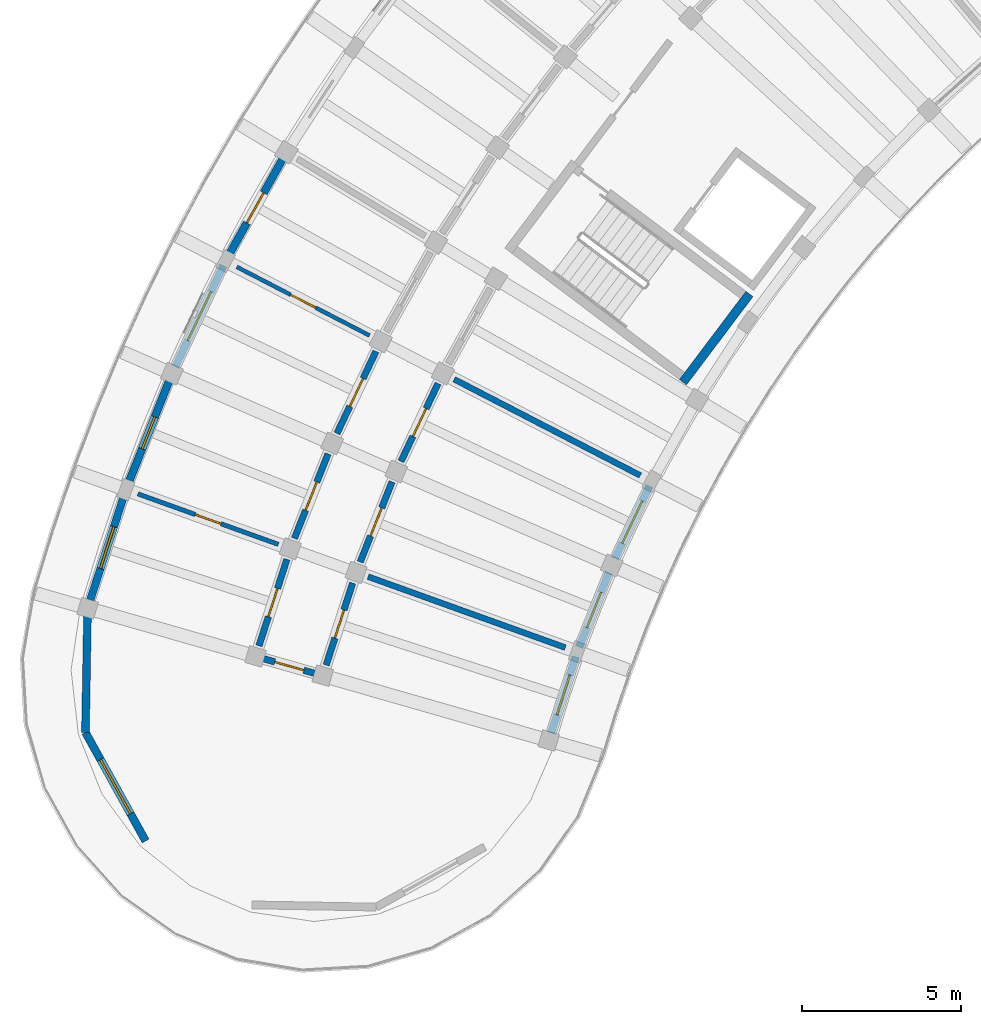
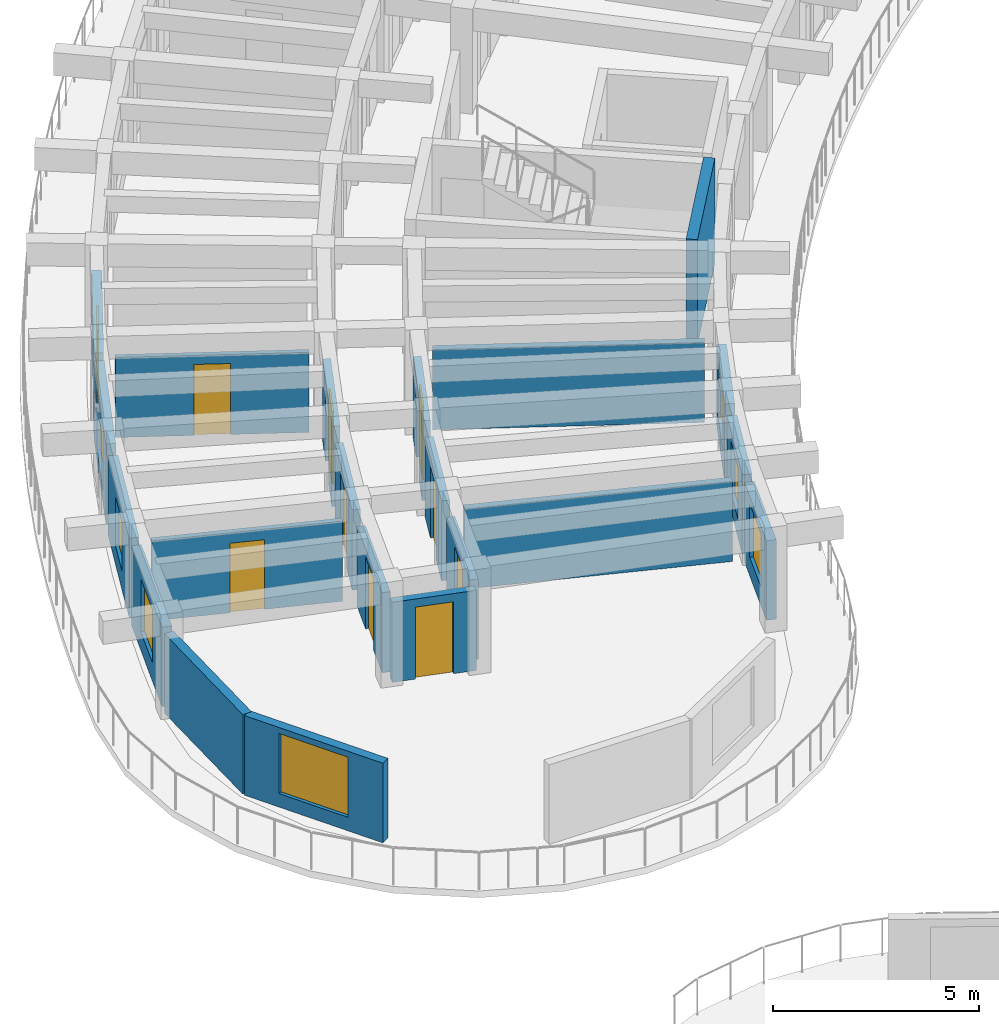
# One storey, part 46 of 81: 21 walls, 10 doors, 7 windows, 17 openings.
"""IFC4 building model written with IfcOpenShell, lengths in metres."""

from ifc_helpers import new_model, si_unit, direction, frame, frame_2d, origin, place, context, subcontext, project, spatial, rectangle, extrude, material, layer, layer_set, type_object, element, fill, save


model = new_model("IFC4")

# Units and contexts
model_context = context("Model", 3, precision=1e-05, world=origin(), true_north=direction((0.0, 1.0)))
body_context = subcontext(model_context, "Body", "Model", "MODEL_VIEW")
ifc_project = project(units=[si_unit("LENGTHUNIT", "METRE"), si_unit("AREAUNIT", "SQUARE_METRE"), si_unit("VOLUMEUNIT", "CUBIC_METRE"), si_unit("PLANEANGLEUNIT", "RADIAN"), si_unit("MASSUNIT", "GRAM", prefix="KILO")], contexts=[model_context])

# Site, building, storey
site_placement = place(None, origin())
site = spatial("IfcSite", under=ifc_project, at=site_placement, CompositionType="ELEMENT")
building_placement = place(site_placement, origin())
building = spatial("IfcBuilding", under=site, at=building_placement, Name="Tanwirah Colonnade Gardens", CompositionType="ELEMENT")
storey_placement = place(building_placement, frame((0.0, 0.0, 8.840087890625)))
storey = spatial("IfcBuildingStorey", under=building, at=storey_placement, Name="L02", CompositionType="ELEMENT", Elevation=8.840087890625)

# Wall, opening, door
ifc_material_1 = material(Name="Limestone architectural precast concrete C40/50", Category="masonry")
ifc_layer_1 = layer(ifc_material_1, 0.2451171875)
ifc_layer_set_1 = layer_set([ifc_layer_1], Name="Limestone architectural precast concrete C40/50")
wall_type_1 = type_object("IfcWallType", Name="EW-PC245", PredefinedType="SOLIDWALL", material=ifc_layer_set_1)
wall_1_placement = place(storey_placement, frame((13.895751953125, 90.755615234375, 0.0), z_axis=(0.0, 0.0, 1.0), x_axis=(-0.488254917997, -0.872701057093, 0.0)))
wall_1 = element("IfcWall", 1, at=wall_1_placement, inside=storey, type_object=wall_type_1, Name="Block A L02 OUT Precast Facade Wall 14", PredefinedType="SOLIDWALL", context=body_context, shape_type="SweptSolid", body=[
    extrude(rectangle(XDim=3.520751953125, YDim=0.2451171875, at=frame_2d((1.76025390625, 0.0))), origin(), (0.0, 0.0, 1.0), 2.35498046875),
])
opening_1_placement = place(wall_1_placement, frame((1.220458984375, 0.0, 0.0)))
opening_1 = element("IfcOpeningElement", 2, at=opening_1_placement, cuts=wall_1, Name="Opening L02-ED012", PredefinedType="OPENING", context=body_context, shape_type="SweptSolid", body=[
    extrude(rectangle(XDim=1.080078125, YDim=2.14990234375, at=frame_2d((0.5400390625, 1.074951171875))), frame((0.0, 0.132568359375, 0.0), z_axis=(0.0, -1.0, 0.0), x_axis=(1.0, 0.0, 0.0)), (0.0, 0.0, 1.0), 0.26513671875),
])
ifc_material_2 = material(Name="Bronze aluminium glazed balcony door", Category="aluminium")
door_type_1 = type_object("IfcDoorType", Name="ED-BAL108", OperationType="NOTDEFINED", PredefinedType="DOOR", material=ifc_material_2)
door_1_placement = place(opening_1_placement, origin())
door_1 = element("IfcDoor", 3, at=door_1_placement, inside=storey, type_object=door_type_1, Name="Balcony glazed door L02-ED012", OperationType="SINGLE_SWING_LEFT", OverallHeight=2.14990234375, OverallWidth=1.080078125, PredefinedType="DOOR", context=body_context, shape_type="SweptSolid", body=[
    extrude(rectangle(XDim=1.080078125, YDim=2.14990234375, at=frame_2d((0.5400390625, 1.074951171875))), frame((0.0, 0.02490234375, 0.0), z_axis=(0.0, -1.0, 0.0), x_axis=(1.0, 0.0, 0.0)), (0.0, 0.0, 1.0), 0.050048828125),
])
fill(opening_1, door_1)

# Wall, opening, window
wall_2_placement = place(storey_placement, frame((12.030029296875, 87.39892578125, 0.0), z_axis=(0.0, 0.0, 1.0), x_axis=(-0.429653621352, -0.902993779413, 0.0)))
wall_2 = element("IfcWall", 4, at=wall_2_placement, inside=storey, type_object=wall_type_1, Name="Block A L02 OUT Precast Facade Wall 15", PredefinedType="SOLIDWALL", context=body_context, shape_type="SweptSolid", body=[
    extrude(rectangle(XDim=3.520751953125, YDim=0.2451171875, at=frame_2d((1.76025390625, 0.0))), origin(), (0.0, 0.0, 1.0), 2.35498046875),
])
opening_2_placement = place(wall_2_placement, frame((0.910400390625, 0.0, 0.35009765625)))
opening_2 = element("IfcOpeningElement", 5, at=opening_2_placement, cuts=wall_2, Name="Opening WIN-T12", PredefinedType="OPENING", context=body_context, shape_type="SweptSolid", body=[
    extrude(rectangle(XDim=1.699951171875, YDim=1.800048828125, at=frame_2d((0.85009765625, 0.89990234375))), frame((0.0, 0.132568359375, 0.0), z_axis=(0.0, -1.0, 0.0), x_axis=(1.0, 0.0, 0.0)), (0.0, 0.0, 1.0), 0.26513671875),
])
ifc_material_3 = material(Name="Thermally broken bronze aluminium and solar low-E double glazing", Category="aluminium")
window_type_1 = type_object("IfcWindowType", Name="WIN-T12", PartitioningType="TRIPLE_PANEL_VERTICAL", PredefinedType="WINDOW", material=ifc_material_3)
window_1_placement = place(opening_2_placement, origin())
window_1 = element("IfcWindow", 6, at=window_1_placement, inside=storey, type_object=window_type_1, Name="Facade window A-L02-OUT-15", OverallHeight=1.800048828125, OverallWidth=1.699951171875, PartitioningType="SINGLE_PANEL", PredefinedType="WINDOW", context=body_context, shape_type="SweptSolid", body=[
    extrude(rectangle(XDim=1.699951171875, YDim=1.800048828125, at=frame_2d((0.85009765625, 0.89990234375))), frame((0.0, 0.030029296875, 0.0), z_axis=(0.0, -1.0, 0.0), x_axis=(1.0, 0.0, 0.0)), (0.0, 0.0, 1.0), 0.06005859375),
])
fill(opening_2, window_1)

wall_3_placement = place(storey_placement, frame((25.444091796875, 80.465576171875, 0.0), z_axis=(0.0, 0.0, 1.0), x_axis=(-0.429610836066, -0.903014135844, 0.0)))
wall_3 = element("IfcWall", 7, at=wall_3_placement, inside=storey, type_object=wall_type_1, Name="Block A L02 IN Precast Facade Wall 15", PredefinedType="SOLIDWALL", context=body_context, shape_type="SweptSolid", body=[
    extrude(rectangle(XDim=2.525390625, YDim=0.2451171875, at=frame_2d((1.2626953125, 0.0))), origin(), (0.0, 0.0, 1.0), 2.35498046875),
])
opening_3_placement = place(wall_3_placement, frame((0.522705078125, 0.0, 0.550048828125)))
opening_3 = element("IfcOpeningElement", 8, at=opening_3_placement, cuts=wall_3, Name="Opening WIN-T19", PredefinedType="OPENING", context=body_context, shape_type="SweptSolid", body=[
    extrude(rectangle(XDim=1.47998046875, YDim=1.6201171875, at=frame_2d((0.739990234375, 0.81005859375))), frame((0.0, 0.132568359375, 0.0), z_axis=(0.0, -1.0, 0.0), x_axis=(1.0, 0.0, 0.0)), (0.0, 0.0, 1.0), 0.26513671875),
])
window_type_2 = type_object("IfcWindowType", Name="WIN-T19", PartitioningType="DOUBLE_PANEL_VERTICAL", PredefinedType="WINDOW", material=ifc_material_3)
window_2_placement = place(opening_3_placement, origin())
window_2 = element("IfcWindow", 9, at=window_2_placement, inside=storey, type_object=window_type_2, Name="Facade window A-L02-IN-15", OverallHeight=1.6201171875, OverallWidth=1.47998046875, PartitioningType="SINGLE_PANEL", PredefinedType="WINDOW", context=body_context, shape_type="SweptSolid", body=[
    extrude(rectangle(XDim=1.47998046875, YDim=1.6201171875, at=frame_2d((0.739990234375, 0.81005859375))), frame((0.0, 0.030029296875, 0.0), z_axis=(0.0, -1.0, 0.0), x_axis=(1.0, 0.0, 0.0)), (0.0, 0.0, 1.0), 0.06005859375),
])
fill(opening_3, window_2)

wall_4_placement = place(storey_placement, frame((10.32177734375, 83.770751953125, 0.0), z_axis=(0.0, 0.0, 1.0), x_axis=(-0.369249632056, -0.929330247666, 0.0)))
wall_4 = element("IfcWall", 10, at=wall_4_placement, inside=storey, type_object=wall_type_1, Name="Block A L02 OUT Precast Facade Wall 16", PredefinedType="SOLIDWALL", context=body_context, shape_type="SweptSolid", body=[
    extrude(rectangle(XDim=3.520751953125, YDim=0.2451171875, at=frame_2d((1.76025390625, 0.0))), origin(), (0.0, 0.0, 1.0), 2.35498046875),
])
opening_4_placement = place(wall_4_placement, frame((1.22021484375, 0.0, 0.550048828125)))
opening_4 = element("IfcOpeningElement", 11, at=opening_4_placement, cuts=wall_4, Name="Opening WIN-T15", PredefinedType="OPENING", context=body_context, shape_type="SweptSolid", body=[
    extrude(rectangle(XDim=1.080078125, YDim=1.449951171875, at=frame_2d((0.5400390625, 0.72509765625))), frame((0.0, 0.132568359375, 0.0), z_axis=(0.0, -1.0, 0.0), x_axis=(1.0, 0.0, 0.0)), (0.0, 0.0, 1.0), 0.26513671875),
])
window_type_3 = type_object("IfcWindowType", Name="WIN-T15", PartitioningType="SINGLE_PANEL", PredefinedType="WINDOW", material=ifc_material_3)
window_3_placement = place(opening_4_placement, origin())
window_3 = element("IfcWindow", 12, at=window_3_placement, inside=storey, type_object=window_type_3, Name="Facade window A-L02-OUT-16", OverallHeight=1.449951171875, OverallWidth=1.080078125, PartitioningType="SINGLE_PANEL", PredefinedType="WINDOW", context=body_context, shape_type="SweptSolid", body=[
    extrude(rectangle(XDim=1.080078125, YDim=1.449951171875, at=frame_2d((0.5400390625, 0.72509765625))), frame((0.0, 0.030029296875, 0.0), z_axis=(0.0, -1.0, 0.0), x_axis=(1.0, 0.0, 0.0)), (0.0, 0.0, 1.0), 0.06005859375),
])
fill(opening_4, window_3)

wall_5_placement = place(storey_placement, frame((24.163330078125, 77.736328125, 0.0), z_axis=(0.0, 0.0, 1.0), x_axis=(-0.369122600107, -0.92938071106, 0.0)))
wall_5 = element("IfcWall", 13, at=wall_5_placement, inside=storey, type_object=wall_type_1, Name="Block A L02 IN Precast Facade Wall 16", PredefinedType="SOLIDWALL", context=body_context, shape_type="SweptSolid", body=[
    extrude(rectangle(XDim=2.525146484375, YDim=0.2451171875, at=frame_2d((1.2626953125, 0.0))), origin(), (0.0, 0.0, 1.0), 2.35498046875),
])
opening_5_placement = place(wall_5_placement, frame((0.66259765625, 0.0, 0.550048828125)))
opening_5 = element("IfcOpeningElement", 14, at=opening_5_placement, cuts=wall_5, Name="Opening WIN-U02", PredefinedType="OPENING", context=body_context, shape_type="SweptSolid", body=[
    extrude(rectangle(XDim=1.199951171875, YDim=1.510009765625, at=frame_2d((0.60009765625, 0.7548828125))), frame((0.0, 0.132568359375, 0.0), z_axis=(0.0, -1.0, 0.0), x_axis=(1.0, 0.0, 0.0)), (0.0, 0.0, 1.0), 0.26513671875),
])
window_type_4 = type_object("IfcWindowType", Name="WIN-U02", PartitioningType="DOUBLE_PANEL_VERTICAL", PredefinedType="WINDOW", material=ifc_material_3)
window_4_placement = place(opening_5_placement, origin())
window_4 = element("IfcWindow", 15, at=window_4_placement, inside=storey, type_object=window_type_4, Name="Facade window A-L02-IN-16", OverallHeight=1.510009765625, OverallWidth=1.199951171875, PartitioningType="SINGLE_PANEL", PredefinedType="WINDOW", context=body_context, shape_type="SweptSolid", body=[
    extrude(rectangle(XDim=1.199951171875, YDim=1.510009765625, at=frame_2d((0.60009765625, 0.7548828125))), frame((0.0, 0.030029296875, 0.0), z_axis=(0.0, -1.0, 0.0), x_axis=(1.0, 0.0, 0.0)), (0.0, 0.0, 1.0), 0.06005859375),
])
fill(opening_5, window_4)

wall_6_placement = place(storey_placement, frame((8.91357421875, 80.19775390625, 0.0), z_axis=(0.0, 0.0, 1.0), x_axis=(-0.30720538788, -0.951643236543, 0.0)))
wall_6 = element("IfcWall", 16, at=wall_6_placement, inside=storey, type_object=wall_type_1, Name="Block A L02 OUT Precast Facade Wall 17", PredefinedType="SOLIDWALL", context=body_context, shape_type="SweptSolid", body=[
    extrude(rectangle(XDim=3.5205078125, YDim=0.2451171875, at=frame_2d((1.76025390625, 0.0))), origin(), (0.0, 0.0, 1.0), 2.35498046875),
])
opening_6_placement = place(wall_6_placement, frame((1.0703125, 0.0, 0.550048828125)))
opening_6 = element("IfcOpeningElement", 17, at=opening_6_placement, cuts=wall_6, Name="Opening WIN-T18", PredefinedType="OPENING", context=body_context, shape_type="SweptSolid", body=[
    extrude(rectangle(XDim=1.3798828125, YDim=1.56005859375, at=frame_2d((0.68994140625, 0.780029296875))), frame((0.0, 0.132568359375, 0.0), z_axis=(0.0, -1.0, 0.0), x_axis=(1.0, 0.0, 0.0)), (0.0, 0.0, 1.0), 0.26513671875),
])
window_type_5 = type_object("IfcWindowType", Name="WIN-T18", PartitioningType="DOUBLE_PANEL_VERTICAL", PredefinedType="WINDOW", material=ifc_material_3)
window_5_placement = place(opening_6_placement, origin())
window_5 = element("IfcWindow", 18, at=window_5_placement, inside=storey, type_object=window_type_5, Name="Facade window A-L02-OUT-17", OverallHeight=1.56005859375, OverallWidth=1.3798828125, PartitioningType="SINGLE_PANEL", PredefinedType="WINDOW", context=body_context, shape_type="SweptSolid", body=[
    extrude(rectangle(XDim=1.3798828125, YDim=1.56005859375, at=frame_2d((0.68994140625, 0.780029296875))), frame((0.0, 0.030029296875, 0.0), z_axis=(0.0, -1.0, 0.0), x_axis=(1.0, 0.0, 0.0)), (0.0, 0.0, 1.0), 0.06005859375),
])
fill(opening_6, window_5)

wall_7_placement = place(storey_placement, frame((23.122802734375, 75.08837890625, 0.0), z_axis=(0.0, 0.0, 1.0), x_axis=(-0.30716379336, -0.951656662903, 0.0)))
wall_7 = element("IfcWall", 19, at=wall_7_placement, inside=storey, type_object=wall_type_1, Name="Block A L02 IN Precast Facade Wall 17", PredefinedType="SOLIDWALL", context=body_context, shape_type="SweptSolid", body=[
    extrude(rectangle(XDim=2.525146484375, YDim=0.2451171875, at=frame_2d((1.2626953125, 0.0))), origin(), (0.0, 0.0, 1.0), 2.35498046875),
])
opening_7_placement = place(wall_7_placement, frame((0.6025390625, 0.0, 0.550048828125)))
opening_7 = element("IfcOpeningElement", 20, at=opening_7_placement, cuts=wall_7, Name="Opening WIN-U05", PredefinedType="OPENING", context=body_context, shape_type="SweptSolid", body=[
    extrude(rectangle(XDim=1.320068359375, YDim=1.5849609375, at=frame_2d((0.66015625, 0.79248046875))), frame((0.0, 0.132568359375, 0.0), z_axis=(0.0, -1.0, 0.0), x_axis=(1.0, 0.0, 0.0)), (0.0, 0.0, 1.0), 0.26513671875),
])
window_type_6 = type_object("IfcWindowType", Name="WIN-U05", PartitioningType="DOUBLE_PANEL_VERTICAL", PredefinedType="WINDOW", material=ifc_material_3)
window_6_placement = place(opening_7_placement, origin())
window_6 = element("IfcWindow", 21, at=window_6_placement, inside=storey, type_object=window_type_6, Name="Facade window A-L02-IN-17", OverallHeight=1.5849609375, OverallWidth=1.320068359375, PartitioningType="SINGLE_PANEL", PredefinedType="WINDOW", context=body_context, shape_type="SweptSolid", body=[
    extrude(rectangle(XDim=1.320068359375, YDim=1.5849609375, at=frame_2d((0.66015625, 0.79248046875))), frame((0.0, 0.030029296875, 0.0), z_axis=(0.0, -1.0, 0.0), x_axis=(1.0, 0.0, 0.0)), (0.0, 0.0, 1.0), 0.06005859375),
])
fill(opening_7, window_6)

wall_8_placement = place(storey_placement, frame((9.58349609375, 69.28857421875, 0.0), z_axis=(0.0, 0.0, 1.0), x_axis=(-0.484841794757, 0.874601871743, 0.0)))
wall_8 = element("IfcWall", 22, at=wall_8_placement, inside=storey, type_object=wall_type_1, Name="Block A L02 END Rounded End Wall 4", PredefinedType="SOLIDWALL", context=body_context, shape_type="SweptSolid", body=[
    extrude(rectangle(XDim=3.907958984375, YDim=0.2451171875, at=frame_2d((1.9541015625, 0.0))), origin(), (0.0, 0.0, 1.0), 2.35498046875),
])
opening_8_placement = place(wall_8_placement, frame((0.97900390625, 0.0, 0.39990234375)))
opening_8 = element("IfcOpeningElement", 23, at=opening_8_placement, cuts=wall_8, Name="Opening WIN-END2", PredefinedType="OPENING", context=body_context, shape_type="SweptSolid", body=[
    extrude(rectangle(XDim=1.949951171875, YDim=1.780029296875, at=frame_2d((0.97509765625, 0.89013671875))), frame((0.0, 0.132568359375, 0.0), z_axis=(0.0, -1.0, 0.0), x_axis=(1.0, 0.0, 0.0)), (0.0, 0.0, 1.0), 0.26513671875),
])
window_type_7 = type_object("IfcWindowType", Name="WIN-END2", PartitioningType="TRIPLE_PANEL_VERTICAL", PredefinedType="WINDOW", material=ifc_material_3)
window_7_placement = place(opening_8_placement, origin())
window_7 = element("IfcWindow", 24, at=window_7_placement, inside=storey, type_object=window_type_7, Name="Rounded corner window A-L02-END-4", OverallHeight=1.780029296875, OverallWidth=1.949951171875, PartitioningType="SINGLE_PANEL", PredefinedType="WINDOW", context=body_context, shape_type="SweptSolid", body=[
    extrude(rectangle(XDim=1.949951171875, YDim=1.780029296875, at=frame_2d((0.97509765625, 0.89013671875))), frame((0.0, 0.030029296875, 0.0), z_axis=(0.0, -1.0, 0.0), x_axis=(1.0, 0.0, 0.0)), (0.0, 0.0, 1.0), 0.06005859375),
])
fill(opening_8, window_7)

# Wall
wall_9_placement = place(storey_placement, frame((7.688720703125, 72.70654296875, 0.0), z_axis=(0.0, 0.0, 1.0), x_axis=(0.017428315893, 0.999848115368, 0.0)))
element("IfcWall", 25, at=wall_9_placement, inside=storey, type_object=wall_type_1, Name="Block A L02 END Rounded End Wall 5", PredefinedType="SOLIDWALL", context=body_context, shape_type="SweptSolid", body=[
    extrude(rectangle(XDim=3.908203125, YDim=0.2451171875, at=frame_2d((1.9541015625, 0.0))), origin(), (0.0, 0.0, 1.0), 2.35498046875),
])

# Wall, opening, door
ifc_material_4 = material(Name="Precast concrete C40/50", Category="concrete")
ifc_layer_2 = layer(ifc_material_4, 0.205078125)
ifc_layer_set_2 = layer_set([ifc_layer_2], Name="Precast concrete C40/50")
wall_type_2 = type_object("IfcWallType", Name="IW-CORR205", PredefinedType="PARTITIONING", material=ifc_layer_set_2)
wall_10_placement = place(storey_placement, frame((16.834228515625, 84.701904296875, 0.0), z_axis=(0.0, 0.0, 1.0), x_axis=(-0.429595933416, -0.90302122566, 0.0)))
wall_10 = element("IfcWall", 26, at=wall_10_placement, inside=storey, type_object=wall_type_2, Name="Block A L02 OUT Corridor Wall 15", PredefinedType="PARTITIONING", context=body_context, shape_type="SweptSolid", body=[
    extrude(rectangle(XDim=2.863037109375, YDim=0.205078125, at=frame_2d((1.431640625, 0.0))), origin(), (0.0, 0.0, 1.0), 2.369873046875),
])
opening_9_placement = place(wall_10_placement, frame((0.946533203125, 0.0, 0.0)))
opening_9 = element("IfcOpeningElement", 27, at=opening_9_placement, cuts=wall_10, Name="Opening L02-AD337", PredefinedType="OPENING", context=body_context, shape_type="SweptSolid", body=[
    extrude(rectangle(XDim=0.969970703125, YDim=2.14990234375, at=frame_2d((0.48486328125, 1.074951171875))), frame((0.0, 0.112548828125, 0.0), z_axis=(0.0, -1.0, 0.0), x_axis=(1.0, 0.0, 0.0)), (0.0, 0.0, 1.0), 0.22509765625),
])
ifc_material_5 = material(Name="Solid oak fire-resisting apartment entrance door")
door_type_2 = type_object("IfcDoorType", Name="ID-FLT097", OperationType="NOTDEFINED", PredefinedType="DOOR", material=ifc_material_5)
door_2_placement = place(opening_9_placement, origin())
door_2 = element("IfcDoor", 28, at=door_2_placement, inside=storey, type_object=door_type_2, Name="Apartment corridor door L02-AD337", OperationType="SINGLE_SWING_RIGHT", OverallHeight=2.14990234375, OverallWidth=0.969970703125, PredefinedType="DOOR", context=body_context, shape_type="SweptSolid", body=[
    extrude(rectangle(XDim=0.969970703125, YDim=2.14990234375, at=frame_2d((0.48486328125, 1.074951171875))), frame((0.0, 0.02490234375, 0.0), z_axis=(0.0, -1.0, 0.0), x_axis=(1.0, 0.0, 0.0)), (0.0, 0.0, 1.0), 0.050048828125),
])
fill(opening_9, door_2)

wall_11_placement = place(storey_placement, frame((18.78857421875, 83.691650390625, 0.0), z_axis=(0.0, 0.0, 1.0), x_axis=(-0.429630211913, -0.90300491749, 0.0)))
wall_11 = element("IfcWall", 29, at=wall_11_placement, inside=storey, type_object=wall_type_2, Name="Block A L02 IN Corridor Wall 15", PredefinedType="PARTITIONING", context=body_context, shape_type="SweptSolid", body=[
    extrude(rectangle(XDim=2.718017578125, YDim=0.205078125, at=frame_2d((1.35888671875, 0.0))), origin(), (0.0, 0.0, 1.0), 2.369873046875),
])
opening_10_placement = place(wall_11_placement, frame((0.8740234375, 0.0, 0.0)))
opening_10 = element("IfcOpeningElement", 30, at=opening_10_placement, cuts=wall_11, Name="Opening L02-AD338", PredefinedType="OPENING", context=body_context, shape_type="SweptSolid", body=[
    extrude(rectangle(XDim=0.969970703125, YDim=2.14990234375, at=frame_2d((0.48486328125, 1.074951171875))), frame((0.0, 0.112548828125, 0.0), z_axis=(0.0, -1.0, 0.0), x_axis=(1.0, 0.0, 0.0)), (0.0, 0.0, 1.0), 0.22509765625),
])
door_3_placement = place(opening_10_placement, origin())
door_3 = element("IfcDoor", 31, at=door_3_placement, inside=storey, type_object=door_type_2, Name="Apartment corridor door L02-AD338", OperationType="SINGLE_SWING_LEFT", OverallHeight=2.14990234375, OverallWidth=0.969970703125, PredefinedType="DOOR", context=body_context, shape_type="SweptSolid", body=[
    extrude(rectangle(XDim=0.969970703125, YDim=2.14990234375, at=frame_2d((0.48486328125, 1.074951171875))), frame((0.0, 0.02490234375, 0.0), z_axis=(0.0, -1.0, 0.0), x_axis=(1.0, 0.0, 0.0)), (0.0, 0.0, 1.0), 0.050048828125),
])
fill(opening_10, door_3)

wall_12_placement = place(storey_placement, frame((15.32470703125, 81.47509765625, 0.0), z_axis=(0.0, 0.0, 1.0), x_axis=(-0.369213832442, -0.929344471083, 0.0)))
wall_12 = element("IfcWall", 32, at=wall_12_placement, inside=storey, type_object=wall_type_2, Name="Block A L02 OUT Corridor Wall 16", PredefinedType="PARTITIONING", context=body_context, shape_type="SweptSolid", body=[
    extrude(rectangle(XDim=2.86328125, YDim=0.205078125, at=frame_2d((1.431640625, 0.0))), origin(), (0.0, 0.0, 1.0), 2.369873046875),
])
opening_11_placement = place(wall_12_placement, frame((0.95654296875, 0.0, 0.0)))
opening_11 = element("IfcOpeningElement", 33, at=opening_11_placement, cuts=wall_12, Name="Opening L02-AD339", PredefinedType="OPENING", context=body_context, shape_type="SweptSolid", body=[
    extrude(rectangle(XDim=0.949951171875, YDim=2.1298828125, at=frame_2d((0.47509765625, 1.06494140625))), frame((0.0, 0.112548828125, 0.0), z_axis=(0.0, -1.0, 0.0), x_axis=(1.0, 0.0, 0.0)), (0.0, 0.0, 1.0), 0.22509765625),
])
door_type_3 = type_object("IfcDoorType", Name="ID-FLT095", OperationType="NOTDEFINED", PredefinedType="DOOR", material=ifc_material_5)
door_4_placement = place(opening_11_placement, origin())
door_4 = element("IfcDoor", 34, at=door_4_placement, inside=storey, type_object=door_type_3, Name="Apartment corridor door L02-AD339", OperationType="SINGLE_SWING_LEFT", OverallHeight=2.1298828125, OverallWidth=0.949951171875, PredefinedType="DOOR", context=body_context, shape_type="SweptSolid", body=[
    extrude(rectangle(XDim=0.949951171875, YDim=2.1298828125, at=frame_2d((0.47509765625, 1.06494140625))), frame((0.0, 0.02490234375, 0.0), z_axis=(0.0, -1.0, 0.0), x_axis=(1.0, 0.0, 0.0)), (0.0, 0.0, 1.0), 0.050048828125),
])
fill(opening_11, door_4)

wall_13_placement = place(storey_placement, frame((17.34130859375, 80.595947265625, 0.0), z_axis=(0.0, 0.0, 1.0), x_axis=(-0.369237170461, -0.929335198919, 0.0)))
wall_13 = element("IfcWall", 35, at=wall_13_placement, inside=storey, type_object=wall_type_2, Name="Block A L02 IN Corridor Wall 16", PredefinedType="PARTITIONING", context=body_context, shape_type="SweptSolid", body=[
    extrude(rectangle(XDim=2.71826171875, YDim=0.205078125, at=frame_2d((1.359130859375, 0.0))), origin(), (0.0, 0.0, 1.0), 2.369873046875),
])
opening_12_placement = place(wall_13_placement, frame((0.884033203125, 0.0, 0.0)))
opening_12 = element("IfcOpeningElement", 36, at=opening_12_placement, cuts=wall_13, Name="Opening L02-AD340", PredefinedType="OPENING", context=body_context, shape_type="SweptSolid", body=[
    extrude(rectangle(XDim=0.949951171875, YDim=2.1298828125, at=frame_2d((0.47509765625, 1.06494140625))), frame((0.0, 0.112548828125, 0.0), z_axis=(0.0, -1.0, 0.0), x_axis=(1.0, 0.0, 0.0)), (0.0, 0.0, 1.0), 0.22509765625),
])
door_5_placement = place(opening_12_placement, origin())
door_5 = element("IfcDoor", 37, at=door_5_placement, inside=storey, type_object=door_type_3, Name="Apartment corridor door L02-AD340", OperationType="SINGLE_SWING_RIGHT", OverallHeight=2.1298828125, OverallWidth=0.949951171875, PredefinedType="DOOR", context=body_context, shape_type="SweptSolid", body=[
    extrude(rectangle(XDim=0.949951171875, YDim=2.1298828125, at=frame_2d((0.47509765625, 1.06494140625))), frame((0.0, 0.02490234375, 0.0), z_axis=(0.0, -1.0, 0.0), x_axis=(1.0, 0.0, 0.0)), (0.0, 0.0, 1.0), 0.050048828125),
])
fill(opening_12, door_5)

wall_14_placement = place(storey_placement, frame((14.03076171875, 78.156005859375, 0.0), z_axis=(0.0, 0.0, 1.0), x_axis=(-0.307132325305, -0.951666819193, 0.0)))
wall_14 = element("IfcWall", 38, at=wall_14_placement, inside=storey, type_object=wall_type_2, Name="Block A L02 OUT Corridor Wall 17", PredefinedType="PARTITIONING", context=body_context, shape_type="SweptSolid", body=[
    extrude(rectangle(XDim=2.86328125, YDim=0.205078125, at=frame_2d((1.431640625, 0.0))), origin(), (0.0, 0.0, 1.0), 2.369873046875),
])
opening_13_placement = place(wall_14_placement, frame((0.966552734375, 0.0, 0.0)))
opening_13 = element("IfcOpeningElement", 39, at=opening_13_placement, cuts=wall_14, Name="Opening L02-AD342", PredefinedType="OPENING", context=body_context, shape_type="SweptSolid", body=[
    extrude(rectangle(XDim=0.929931640625, YDim=2.1201171875, at=frame_2d((0.46484375, 1.06005859375))), frame((0.0, 0.112548828125, 0.0), z_axis=(0.0, -1.0, 0.0), x_axis=(1.0, 0.0, 0.0)), (0.0, 0.0, 1.0), 0.22509765625),
])
door_type_4 = type_object("IfcDoorType", Name="ID-FLT093", OperationType="NOTDEFINED", PredefinedType="DOOR", material=ifc_material_5)
door_6_placement = place(opening_13_placement, origin())
door_6 = element("IfcDoor", 40, at=door_6_placement, inside=storey, type_object=door_type_4, Name="Apartment corridor door L02-AD342", OperationType="SINGLE_SWING_RIGHT", OverallHeight=2.1201171875, OverallWidth=0.929931640625, PredefinedType="DOOR", context=body_context, shape_type="SweptSolid", body=[
    extrude(rectangle(XDim=0.929931640625, YDim=2.1201171875, at=frame_2d((0.46484375, 1.06005859375))), frame((0.0, 0.02490234375, 0.0), z_axis=(0.0, -1.0, 0.0), x_axis=(1.0, 0.0, 0.0)), (0.0, 0.0, 1.0), 0.050048828125),
])
fill(opening_13, door_6)

wall_15_placement = place(storey_placement, frame((16.10107421875, 77.41162109375, 0.0), z_axis=(0.0, 0.0, 1.0), x_axis=(-0.307186478934, -0.95164934044, 0.0)))
wall_15 = element("IfcWall", 41, at=wall_15_placement, inside=storey, type_object=wall_type_2, Name="Block A L02 IN Corridor Wall 17", PredefinedType="PARTITIONING", context=body_context, shape_type="SweptSolid", body=[
    extrude(rectangle(XDim=2.718017578125, YDim=0.205078125, at=frame_2d((1.35888671875, 0.0))), origin(), (0.0, 0.0, 1.0), 2.369873046875),
])
opening_14_placement = place(wall_15_placement, frame((0.89404296875, 0.0, 0.0)))
opening_14 = element("IfcOpeningElement", 42, at=opening_14_placement, cuts=wall_15, Name="Opening L02-AD343", PredefinedType="OPENING", context=body_context, shape_type="SweptSolid", body=[
    extrude(rectangle(XDim=0.929931640625, YDim=2.1201171875, at=frame_2d((0.46484375, 1.06005859375))), frame((0.0, 0.112548828125, 0.0), z_axis=(0.0, -1.0, 0.0), x_axis=(1.0, 0.0, 0.0)), (0.0, 0.0, 1.0), 0.22509765625),
])
door_7_placement = place(opening_14_placement, origin())
door_7 = element("IfcDoor", 43, at=door_7_placement, inside=storey, type_object=door_type_4, Name="Apartment corridor door L02-AD343", OperationType="SINGLE_SWING_LEFT", OverallHeight=2.1201171875, OverallWidth=0.929931640625, PredefinedType="DOOR", context=body_context, shape_type="SweptSolid", body=[
    extrude(rectangle(XDim=0.929931640625, YDim=2.1201171875, at=frame_2d((0.46484375, 1.06005859375))), frame((0.0, 0.02490234375, 0.0), z_axis=(0.0, -1.0, 0.0), x_axis=(1.0, 0.0, 0.0)), (0.0, 0.0, 1.0), 0.050048828125),
])
fill(opening_14, door_7)

wall_16_placement = place(storey_placement, frame((15.110595703125, 74.505615234375, 0.0), z_axis=(0.0, 0.0, 1.0), x_axis=(-0.961264701934, 0.275626872449, 0.0)))
wall_16 = element("IfcWall", 44, at=wall_16_placement, inside=storey, type_object=wall_type_2, Name="Block A L02 CE Corner Suite Corridor Wall", PredefinedType="PARTITIONING", context=body_context, shape_type="SweptSolid", body=[
    extrude(rectangle(XDim=2.10009765625, YDim=0.205078125, at=frame_2d((1.050048828125, 0.0))), origin(), (0.0, 0.0, 1.0), 2.369873046875),
])
opening_15_placement = place(wall_16_placement, frame((0.570068359375, 0.0, 0.0)))
opening_15 = element("IfcOpeningElement", 45, at=opening_15_placement, cuts=wall_16, Name="Opening L02-CD345", PredefinedType="OPENING", context=body_context, shape_type="SweptSolid", body=[
    extrude(rectangle(XDim=0.949951171875, YDim=2.1298828125, at=frame_2d((0.47509765625, 1.06494140625))), frame((0.0, 0.112548828125, 0.0), z_axis=(0.0, -1.0, 0.0), x_axis=(1.0, 0.0, 0.0)), (0.0, 0.0, 1.0), 0.22509765625),
])
door_8_placement = place(opening_15_placement, origin())
door_8 = element("IfcDoor", 46, at=door_8_placement, inside=storey, type_object=door_type_3, Name="Corner suite entrance door L02-CD345", OperationType="SINGLE_SWING_RIGHT", OverallHeight=2.1298828125, OverallWidth=0.949951171875, PredefinedType="DOOR", context=body_context, shape_type="SweptSolid", body=[
    extrude(rectangle(XDim=0.949951171875, YDim=2.1298828125, at=frame_2d((0.47509765625, 1.06494140625))), frame((0.0, 0.02490234375, 0.0), z_axis=(0.0, -1.0, 0.0), x_axis=(1.0, 0.0, 0.0)), (0.0, 0.0, 1.0), 0.050048828125),
])
fill(opening_15, door_8)

# Walls
ifc_layer_3 = layer(ifc_material_4, 0.18505859375)
ifc_layer_set_3 = layer_set([ifc_layer_3], Name="Precast concrete C40/50")
wall_type_3 = type_object("IfcWallType", Name="IW-DEM185", PredefinedType="PARTITIONING", material=ifc_layer_set_3)
wall_17_placement = place(storey_placement, frame((25.157470703125, 80.793701171875, 0.0), z_axis=(0.0, 0.0, 1.0), x_axis=(-0.888346696024, 0.459173330741, 0.0)))
element("IfcWall", 47, at=wall_17_placement, inside=storey, type_object=wall_type_3, Name="Block A L02 Inner Radial Partition 14", PredefinedType="PARTITIONING", context=body_context, shape_type="SweptSolid", body=[
    extrude(rectangle(XDim=6.599853515625, YDim=0.18505859375, at=frame_2d((3.2998046875, 0.0))), origin(), (0.0, 0.0, 1.0), 2.369873046875),
])
wall_18_placement = place(storey_placement, frame((22.795654296875, 75.3759765625, 0.0), z_axis=(0.0, 0.0, 1.0), x_axis=(-0.941005714099, 0.338390670725, 0.0)))
element("IfcWall", 48, at=wall_18_placement, inside=storey, type_object=wall_type_3, Name="Block A L02 Inner Radial Partition 16", PredefinedType="PARTITIONING", context=body_context, shape_type="SweptSolid", body=[
    extrude(rectangle(XDim=6.60009765625, YDim=0.18505859375, at=frame_2d((3.300048828125, 0.0))), origin(), (0.0, 0.0, 1.0), 2.369873046875),
])

# Wall, opening, door
ifc_material_6 = material(Name="Moisture-resistant gypsum stud partition")
ifc_layer_4 = layer(ifc_material_6, 0.125)
ifc_layer_set_4 = layer_set([ifc_layer_4], Name="Moisture-resistant gypsum stud partition")
wall_type_4 = type_object("IfcWallType", Name="IW-INT125", PredefinedType="PARTITIONING", material=ifc_layer_set_4)
wall_19_placement = place(storey_placement, frame((16.62939453125, 85.20166015625, 0.0), z_axis=(0.0, 0.0, 1.0), x_axis=(-0.88836305433, 0.459141681512, 0.0)))
wall_19 = element("IfcWall", 49, at=wall_19_placement, inside=storey, type_object=wall_type_4, Name="Block A L02 Radial Partition 14", PredefinedType="PARTITIONING", context=body_context, shape_type="SweptSolid", body=[
    extrude(rectangle(XDim=4.699951171875, YDim=0.125, at=frame_2d((2.35009765625, 0.0))), origin(), (0.0, 0.0, 1.0), 2.369873046875),
])
opening_16_placement = place(wall_19_placement, frame((1.905029296875, 0.0, 0.0)))
opening_16 = element("IfcOpeningElement", 50, at=opening_16_placement, cuts=wall_19, Name="Opening L02-RD336", PredefinedType="OPENING", context=body_context, shape_type="SweptSolid", body=[
    extrude(rectangle(XDim=0.889892578125, YDim=2.10009765625, at=frame_2d((0.44482421875, 1.050048828125))), frame((0.0, 0.072509765625, 0.0), z_axis=(0.0, -1.0, 0.0), x_axis=(1.0, 0.0, 0.0)), (0.0, 0.0, 1.0), 0.14501953125),
])
ifc_material_7 = material(Name="Painted hardwood bedroom door", Category="wood")
door_type_5 = type_object("IfcDoorType", Name="ID-RM089", OperationType="NOTDEFINED", PredefinedType="DOOR", material=ifc_material_7)
door_9_placement = place(opening_16_placement, origin())
door_9 = element("IfcDoor", 51, at=door_9_placement, inside=storey, type_object=door_type_5, Name="Internal apartment door L02-RD336", OperationType="SINGLE_SWING_LEFT", OverallHeight=2.10009765625, OverallWidth=0.889892578125, PredefinedType="DOOR", context=body_context, shape_type="SweptSolid", body=[
    extrude(rectangle(XDim=0.889892578125, YDim=2.10009765625, at=frame_2d((0.44482421875, 1.050048828125))), frame((0.0, 0.02490234375, 0.0), z_axis=(0.0, -1.0, 0.0), x_axis=(1.0, 0.0, 0.0)), (0.0, 0.0, 1.0), 0.050048828125),
])
fill(opening_16, door_9)

ifc_material_8 = material(Name="Water-resistant acoustic plumbing partition")
ifc_layer_5 = layer(ifc_material_8, 0.139892578125)
ifc_layer_set_5 = layer_set([ifc_layer_5], Name="Water-resistant acoustic plumbing partition")
wall_type_5 = type_object("IfcWallType", Name="IW-WET140", PredefinedType="PLUMBINGWALL", material=ifc_layer_set_5)
wall_20_placement = place(storey_placement, frame((13.761962890625, 78.62451171875, 0.0), z_axis=(0.0, 0.0, 1.0), x_axis=(-0.941015806044, 0.338362605463, 0.0)))
wall_20 = element("IfcWall", 52, at=wall_20_placement, inside=storey, type_object=wall_type_5, Name="Block A L02 Radial Partition 16", PredefinedType="PLUMBINGWALL", context=body_context, shape_type="SweptSolid", body=[
    extrude(rectangle(XDim=4.7001953125, YDim=0.139892578125, at=frame_2d((2.35009765625, 0.0))), origin(), (0.0, 0.0, 1.0), 2.369873046875),
])
opening_17_placement = place(wall_20_placement, frame((1.919921875, 0.0, 0.0)))
opening_17 = element("IfcOpeningElement", 53, at=opening_17_placement, cuts=wall_20, Name="Opening L02-RD341", PredefinedType="OPENING", context=body_context, shape_type="SweptSolid", body=[
    extrude(rectangle(XDim=0.860107421875, YDim=2.06005859375, at=frame_2d((0.43017578125, 1.030029296875))), frame((0.0, 0.079833984375, 0.0), z_axis=(0.0, -1.0, 0.0), x_axis=(1.0, 0.0, 0.0)), (0.0, 0.0, 1.0), 0.159912109375),
])
ifc_material_9 = material(Name="Moisture-resistant bathroom door")
door_type_6 = type_object("IfcDoorType", Name="ID-WET086", OperationType="NOTDEFINED", PredefinedType="DOOR", material=ifc_material_9)
door_10_placement = place(opening_17_placement, origin())
door_10 = element("IfcDoor", 54, at=door_10_placement, inside=storey, type_object=door_type_6, Name="Internal apartment door L02-RD341", OperationType="SINGLE_SWING_LEFT", OverallHeight=2.06005859375, OverallWidth=0.860107421875, PredefinedType="DOOR", context=body_context, shape_type="SweptSolid", body=[
    extrude(rectangle(XDim=0.860107421875, YDim=2.06005859375, at=frame_2d((0.43017578125, 1.030029296875))), frame((0.0, 0.02490234375, 0.0), z_axis=(0.0, -1.0, 0.0), x_axis=(1.0, 0.0, 0.0)), (0.0, 0.0, 1.0), 0.050048828125),
])
fill(opening_17, door_10)

# Wall
ifc_material_10 = material(Name="Concrete C45/55", Category="concrete")
ifc_layer_6 = layer(ifc_material_10, 0.280029296875)
ifc_layer_set_6 = layer_set([ifc_layer_6], Name="Concrete C45/55")
wall_type_6 = type_object("IfcWallType", Name="SW-CORE280", PredefinedType="SHEAR", material=ifc_layer_set_6)
wall_21_placement = place(storey_placement, frame((26.497314453125, 83.7294921875, 0.0), z_axis=(0.0, 0.0, 1.0), x_axis=(0.601794470585, 0.798650997102, 0.0)))
element("IfcWall", 55, at=wall_21_placement, inside=storey, type_object=wall_type_6, Name="CORE-A2 L02 Stair Shaft Shear Wall FAR", PredefinedType="SHEAR", context=body_context, shape_type="SweptSolid", body=[
    extrude(rectangle(XDim=3.47998046875, YDim=0.280029296875, at=frame_2d((1.739990234375, 0.0))), origin(), (0.0, 0.0, 1.0), 3.10986328125),
])

save(model, "model.ifc")
